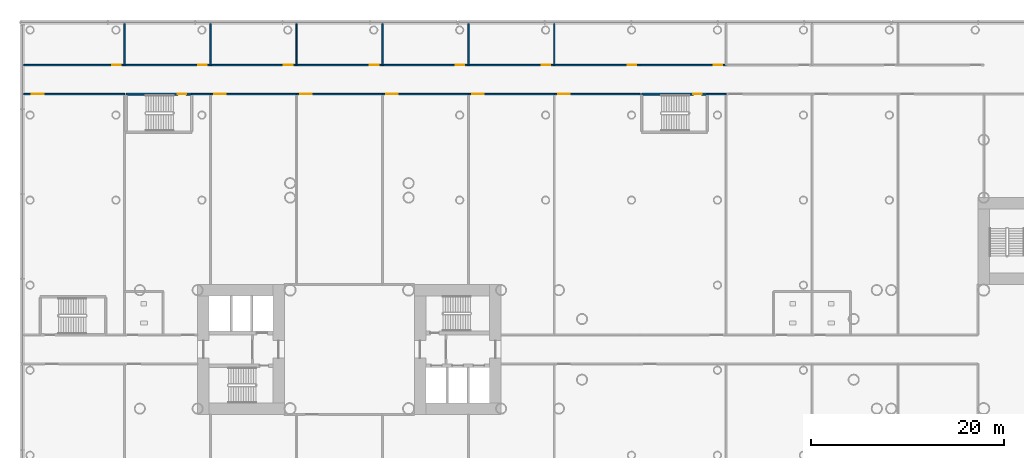
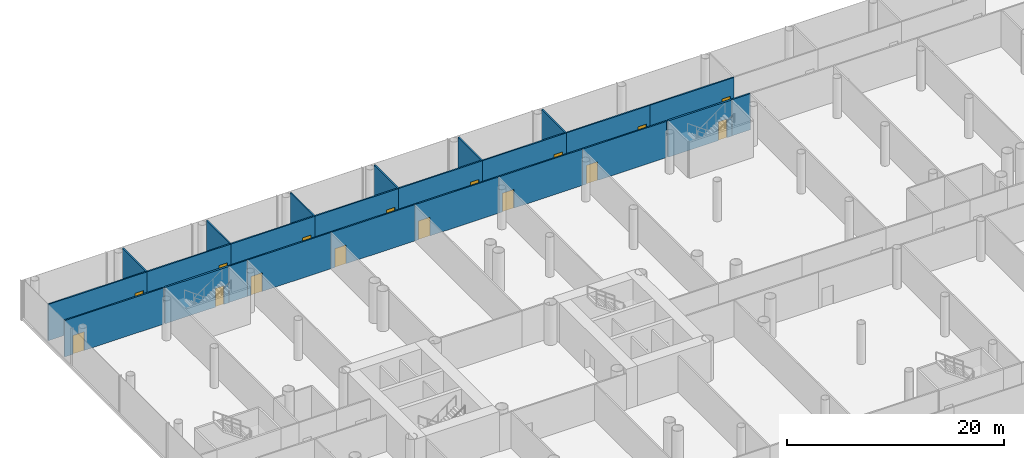
# One storey, part 23 of 49: 24 walls, 16 doors, 16 openings.
"""IFC4 building model written with IfcOpenShell, lengths in metres."""

from ifc_helpers import new_model, si_unit, direction, frame, frame_2d, origin, place, context, subcontext, project, spatial, rectangle, extrude, material, layer, layer_set, type_object, element, fill, save


model = new_model("IFC4")

# Units and contexts
model_context = context("Model", 3, precision=1e-05, world=origin(), true_north=direction((0.0, 1.0)))
body_context = subcontext(model_context, "Body", "Model", "MODEL_VIEW")
ifc_project = project(units=[si_unit("LENGTHUNIT", "METRE"), si_unit("AREAUNIT", "SQUARE_METRE"), si_unit("VOLUMEUNIT", "CUBIC_METRE"), si_unit("PLANEANGLEUNIT", "RADIAN"), si_unit("MASSUNIT", "GRAM", prefix="KILO")], contexts=[model_context])

# Site, building, storey
site_placement = place(None, origin())
site = spatial("IfcSite", under=ifc_project, at=site_placement, CompositionType="ELEMENT")
building_placement = place(site_placement, origin())
building = spatial("IfcBuilding", under=site, at=building_placement, Name="Ipe Terrace Towers", CompositionType="ELEMENT")
storey_placement = place(building_placement, frame((0.0, 0.0, 11.0)))
storey = spatial("IfcBuildingStorey", under=building, at=storey_placement, Name="L02", CompositionType="ELEMENT", Elevation=11.0)

# Wall, opening, door
ifc_material_1 = material(Name="Gypsum board partition", Category="plasterboard")
ifc_layer_1 = layer(ifc_material_1, 0.14990234375)
ifc_layer_set_1 = layer_set([ifc_layer_1], Name="Gypsum board partition 150 mm")
wall_type_1 = type_object("IfcWallType", Name="Gypsum board partition 150 mm", PredefinedType="PARTITIONING", material=ifc_layer_set_1)
wall_1_placement = place(storey_placement, frame((-69.85009765625, 26.5, 0.0), z_axis=(0.0, 0.0, 1.0), x_axis=(1.0, 0.0, 0.0)))
wall_1 = element("IfcWall", 1, at=wall_1_placement, inside=storey, type_object=wall_type_1, Name="Gypsum board partition T1 L02 pd-r2-w7", PredefinedType="PARTITIONING", context=body_context, shape_type="SweptSolid", body=[
    extrude(rectangle(XDim=10.52001953125, YDim=0.14990234375, at=frame_2d((5.260009765625, 0.0))), origin(), (0.0, 0.0, 1.0), 4.080078125),
])
opening_1_placement = place(wall_1_placement, frame((0.89990234375, 0.0, 0.0)))
opening_1 = element("IfcOpeningElement", 2, at=opening_1_placement, cuts=wall_1, Name="Opening PD-L02-r2", PredefinedType="OPENING", context=body_context, shape_type="SweptSolid", body=[
    extrude(rectangle(XDim=1.199951171875, YDim=2.10009765625, at=frame_2d((0.60009765625, 1.050048828125))), frame((0.0, 0.0849609375, 0.0), z_axis=(0.0, -1.0, 0.0), x_axis=(1.0, 0.0, 0.0)), (0.0, 0.0, 1.0), 0.169921875),
])
ifc_material_2 = material(Name="Fire-rated timber door leaf", Category="wood")
door_type_1 = type_object("IfcDoorType", Name="Lounge door 1200 x 2100 FD30S", OperationType="NOTDEFINED", PredefinedType="DOOR", material=ifc_material_2)
door_1_placement = place(opening_1_placement, origin())
door_1 = element("IfcDoor", 3, at=door_1_placement, inside=storey, type_object=door_type_1, Name="Lounge door PD-L02-r2", OperationType="SINGLE_SWING_RIGHT", OverallHeight=2.10009765625, OverallWidth=1.199951171875, PredefinedType="DOOR", context=body_context, shape_type="SweptSolid", body=[
    extrude(rectangle(XDim=1.199951171875, YDim=2.10009765625, at=frame_2d((0.60009765625, 1.050048828125))), frame((0.0, 0.02490234375, 0.0), z_axis=(0.0, -1.0, 0.0), x_axis=(1.0, 0.0, 0.0)), (0.0, 0.0, 1.0), 0.050048828125),
])
fill(opening_1, door_1)

wall_2_placement = place(storey_placement, frame((-59.330078125, 29.5, 0.0), z_axis=(0.0, 0.0, 1.0), x_axis=(-1.0, 0.0, 0.0)))
wall_2 = element("IfcWall", 4, at=wall_2_placement, inside=storey, type_object=wall_type_1, Name="Gypsum board partition T1 L02 pd-r3-w9", PredefinedType="PARTITIONING", context=body_context, shape_type="SweptSolid", body=[
    extrude(rectangle(XDim=10.52001953125, YDim=0.14990234375, at=frame_2d((5.260009765625, 0.0))), origin(), (0.0, 0.0, 1.0), 4.080078125),
])
opening_2_placement = place(wall_2_placement, frame((0.39990234375, 0.0, 0.0)))
opening_2 = element("IfcOpeningElement", 5, at=opening_2_placement, cuts=wall_2, Name="Opening PD-L02-r3", PredefinedType="OPENING", context=body_context, shape_type="SweptSolid", body=[
    extrude(rectangle(XDim=0.89990234375, YDim=2.10009765625, at=frame_2d((0.449951171875, 1.050048828125))), frame((0.0, 0.0849609375, 0.0), z_axis=(0.0, -1.0, 0.0), x_axis=(1.0, 0.0, 0.0)), (0.0, 0.0, 1.0), 0.169921875),
])
ifc_material_3 = material(Name="Fire-rated timber door leaf", Category="wood")
door_type_2 = type_object("IfcDoorType", Name="Lounge door 900 x 2100 FD30S", OperationType="NOTDEFINED", PredefinedType="DOOR", material=ifc_material_3)
door_2_placement = place(opening_2_placement, origin())
door_2 = element("IfcDoor", 6, at=door_2_placement, inside=storey, type_object=door_type_2, Name="Lounge door PD-L02-r3", OperationType="SINGLE_SWING_RIGHT", OverallHeight=2.10009765625, OverallWidth=0.89990234375, PredefinedType="DOOR", context=body_context, shape_type="SweptSolid", body=[
    extrude(rectangle(XDim=0.89990234375, YDim=2.10009765625, at=frame_2d((0.449951171875, 1.050048828125))), frame((0.0, 0.02490234375, 0.0), z_axis=(0.0, -1.0, 0.0), x_axis=(1.0, 0.0, 0.0)), (0.0, 0.0, 1.0), 0.050048828125),
])
fill(opening_2, door_2)

# Wall
wall_3_placement = place(storey_placement, frame((-59.330078125, 33.85009765625, 0.0), z_axis=(0.0, 0.0, 1.0), x_axis=(0.0, -1.0, 0.0)))
element("IfcWall", 7, at=wall_3_placement, inside=storey, type_object=wall_type_1, Name="Gypsum board partition T1 L02 pd-r3-r6-w10", PredefinedType="PARTITIONING", context=body_context, shape_type="SweptSolid", body=[
    extrude(rectangle(XDim=4.35009765625, YDim=0.14990234375, at=frame_2d((2.175048828125, 0.0))), origin(), (0.0, 0.0, 1.0), 4.080078125),
])

# Wall, opening, door
wall_4_placement = place(storey_placement, frame((-50.409912109375, 29.5, 0.0), z_axis=(0.0, 0.0, 1.0), x_axis=(-1.0, 0.0, 0.0)))
wall_4 = element("IfcWall", 8, at=wall_4_placement, inside=storey, type_object=wall_type_1, Name="Gypsum board partition T1 L02 pd-r6-w16", PredefinedType="PARTITIONING", context=body_context, shape_type="SweptSolid", body=[
    extrude(rectangle(XDim=8.920166015625, YDim=0.14990234375, at=frame_2d((4.4599609375, 0.0))), origin(), (0.0, 0.0, 1.0), 4.080078125),
])
opening_3_placement = place(wall_4_placement, frame((0.39990234375, 0.0, 0.0)))
opening_3 = element("IfcOpeningElement", 9, at=opening_3_placement, cuts=wall_4, Name="Opening PD-L02-r6", PredefinedType="OPENING", context=body_context, shape_type="SweptSolid", body=[
    extrude(rectangle(XDim=0.89990234375, YDim=2.10009765625, at=frame_2d((0.449951171875, 1.050048828125))), frame((0.0, 0.0849609375, 0.0), z_axis=(0.0, -1.0, 0.0), x_axis=(1.0, 0.0, 0.0)), (0.0, 0.0, 1.0), 0.169921875),
])
door_3_placement = place(opening_3_placement, origin())
door_3 = element("IfcDoor", 10, at=door_3_placement, inside=storey, type_object=door_type_2, Name="Lounge door PD-L02-r6", OperationType="SINGLE_SWING_RIGHT", OverallHeight=2.10009765625, OverallWidth=0.89990234375, PredefinedType="DOOR", context=body_context, shape_type="SweptSolid", body=[
    extrude(rectangle(XDim=0.89990234375, YDim=2.10009765625, at=frame_2d((0.449951171875, 1.050048828125))), frame((0.0, 0.02490234375, 0.0), z_axis=(0.0, -1.0, 0.0), x_axis=(1.0, 0.0, 0.0)), (0.0, 0.0, 1.0), 0.050048828125),
])
fill(opening_3, door_3)

# Wall
wall_5_placement = place(storey_placement, frame((-52.3701171875, 26.5, 0.0), z_axis=(0.0, 0.0, 1.0), x_axis=(1.0, 0.0, 0.0)))
element("IfcWall", 11, at=wall_5_placement, inside=storey, type_object=wall_type_1, Name="Gypsum board partition T1 L02 pd-r7-w18", PredefinedType="PARTITIONING", context=body_context, shape_type="SweptSolid", body=[
    extrude(rectangle(XDim=1.960205078125, YDim=0.14990234375, at=frame_2d((0.97998046875, 0.0))), origin(), (0.0, 0.0, 1.0), 4.080078125),
])

# Wall, opening, door
wall_6_placement = place(storey_placement, frame((-41.489990234375, 29.5, 0.0), z_axis=(0.0, 0.0, 1.0), x_axis=(-1.0, 0.0, 0.0)))
wall_6 = element("IfcWall", 12, at=wall_6_placement, inside=storey, type_object=wall_type_1, Name="Gypsum board partition T1 L02 pd-r10-w22", PredefinedType="PARTITIONING", context=body_context, shape_type="SweptSolid", body=[
    extrude(rectangle(XDim=8.919921875, YDim=0.14990234375, at=frame_2d((4.4599609375, 0.0))), origin(), (0.0, 0.0, 1.0), 4.080078125),
])
opening_4_placement = place(wall_6_placement, frame((0.39990234375, 0.0, 0.0)))
opening_4 = element("IfcOpeningElement", 13, at=opening_4_placement, cuts=wall_6, Name="Opening PD-L02-r10", PredefinedType="OPENING", context=body_context, shape_type="SweptSolid", body=[
    extrude(rectangle(XDim=0.89990234375, YDim=2.10009765625, at=frame_2d((0.449951171875, 1.050048828125))), frame((0.0, 0.0849609375, 0.0), z_axis=(0.0, -1.0, 0.0), x_axis=(1.0, 0.0, 0.0)), (0.0, 0.0, 1.0), 0.169921875),
])
door_4_placement = place(opening_4_placement, origin())
door_4 = element("IfcDoor", 14, at=door_4_placement, inside=storey, type_object=door_type_2, Name="Lounge door PD-L02-r10", OperationType="SINGLE_SWING_RIGHT", OverallHeight=2.10009765625, OverallWidth=0.89990234375, PredefinedType="DOOR", context=body_context, shape_type="SweptSolid", body=[
    extrude(rectangle(XDim=0.89990234375, YDim=2.10009765625, at=frame_2d((0.449951171875, 1.050048828125))), frame((0.0, 0.02490234375, 0.0), z_axis=(0.0, -1.0, 0.0), x_axis=(1.0, 0.0, 0.0)), (0.0, 0.0, 1.0), 0.050048828125),
])
fill(opening_4, door_4)

# Walls
for number, where, z_axis, x_axis, name in (
    (15, (-50.409912109375, 29.5, 0.0), (0.0, 0.0, 1.0), (0.0, 1.0, 0.0), "Gypsum board partition T1 L02 pd-r10-r6-w23"),
    (16, (-41.489990234375, 33.85009765625, 0.0), (0.0, 0.0, 1.0), (0.0, -1.0, 0.0), "Gypsum board partition T1 L02 pd-r10-r15-w24"),
):
    element("IfcWall", number, at=place(storey_placement, frame(where, z_axis=z_axis, x_axis=x_axis)), inside=storey, type_object=wall_type_1, Name=name, PredefinedType="PARTITIONING", context=body_context, shape_type="SweptSolid", body=[
        extrude(rectangle(XDim=4.35009765625, YDim=0.14990234375, at=frame_2d((2.175048828125, 0.0))), origin(), (0.0, 0.0, 1.0), 4.080078125),
    ])

# Wall, opening, door
wall_7_placement = place(storey_placement, frame((-50.409912109375, 26.5, 0.0), z_axis=(0.0, 0.0, 1.0), x_axis=(1.0, 0.0, 0.0)))
wall_7 = element("IfcWall", 17, at=wall_7_placement, inside=storey, type_object=wall_type_1, Name="Gypsum board partition T1 L02 pd-r11-w25", PredefinedType="PARTITIONING", context=body_context, shape_type="SweptSolid", body=[
    extrude(rectangle(XDim=8.919921875, YDim=0.14990234375, at=frame_2d((4.4599609375, 0.0))), origin(), (0.0, 0.0, 1.0), 4.080078125),
])
opening_5_placement = place(wall_7_placement, frame((0.39990234375, 0.0, 0.0)))
opening_5 = element("IfcOpeningElement", 18, at=opening_5_placement, cuts=wall_7, Name="Opening PD-L02-r11", PredefinedType="OPENING", context=body_context, shape_type="SweptSolid", body=[
    extrude(rectangle(XDim=1.199951171875, YDim=2.10009765625, at=frame_2d((0.60009765625, 1.050048828125))), frame((0.0, 0.0849609375, 0.0), z_axis=(0.0, -1.0, 0.0), x_axis=(1.0, 0.0, 0.0)), (0.0, 0.0, 1.0), 0.169921875),
])
door_5_placement = place(opening_5_placement, origin())
door_5 = element("IfcDoor", 19, at=door_5_placement, inside=storey, type_object=door_type_1, Name="Lounge door PD-L02-r11", OperationType="SINGLE_SWING_RIGHT", OverallHeight=2.10009765625, OverallWidth=1.199951171875, PredefinedType="DOOR", context=body_context, shape_type="SweptSolid", body=[
    extrude(rectangle(XDim=1.199951171875, YDim=2.10009765625, at=frame_2d((0.60009765625, 1.050048828125))), frame((0.0, 0.02490234375, 0.0), z_axis=(0.0, -1.0, 0.0), x_axis=(1.0, 0.0, 0.0)), (0.0, 0.0, 1.0), 0.050048828125),
])
fill(opening_5, door_5)

wall_8_placement = place(storey_placement, frame((-41.489990234375, 26.5, 0.0), z_axis=(0.0, 0.0, 1.0), x_axis=(1.0, 0.0, 0.0)))
wall_8 = element("IfcWall", 20, at=wall_8_placement, inside=storey, type_object=wall_type_1, Name="Gypsum board partition T1 L02 pd-r14-w36", PredefinedType="PARTITIONING", context=body_context, shape_type="SweptSolid", body=[
    extrude(rectangle(XDim=8.919921875, YDim=0.14990234375, at=frame_2d((4.4599609375, 0.0))), origin(), (0.0, 0.0, 1.0), 4.080078125),
])
opening_6_placement = place(wall_8_placement, frame((0.39990234375, 0.0, 0.0)))
opening_6 = element("IfcOpeningElement", 21, at=opening_6_placement, cuts=wall_8, Name="Opening PD-L02-r14", PredefinedType="OPENING", context=body_context, shape_type="SweptSolid", body=[
    extrude(rectangle(XDim=1.199951171875, YDim=2.10009765625, at=frame_2d((0.60009765625, 1.050048828125))), frame((0.0, 0.0849609375, 0.0), z_axis=(0.0, -1.0, 0.0), x_axis=(1.0, 0.0, 0.0)), (0.0, 0.0, 1.0), 0.169921875),
])
door_6_placement = place(opening_6_placement, origin())
door_6 = element("IfcDoor", 22, at=door_6_placement, inside=storey, type_object=door_type_1, Name="Lounge door PD-L02-r14", OperationType="SINGLE_SWING_RIGHT", OverallHeight=2.10009765625, OverallWidth=1.199951171875, PredefinedType="DOOR", context=body_context, shape_type="SweptSolid", body=[
    extrude(rectangle(XDim=1.199951171875, YDim=2.10009765625, at=frame_2d((0.60009765625, 1.050048828125))), frame((0.0, 0.02490234375, 0.0), z_axis=(0.0, -1.0, 0.0), x_axis=(1.0, 0.0, 0.0)), (0.0, 0.0, 1.0), 0.050048828125),
])
fill(opening_6, door_6)

wall_9_placement = place(storey_placement, frame((-32.570068359375, 29.5, 0.0), z_axis=(0.0, 0.0, 1.0), x_axis=(-1.0, 0.0, 0.0)))
wall_9 = element("IfcWall", 23, at=wall_9_placement, inside=storey, type_object=wall_type_1, Name="Gypsum board partition T1 L02 pd-r15-w39", PredefinedType="PARTITIONING", context=body_context, shape_type="SweptSolid", body=[
    extrude(rectangle(XDim=8.919921875, YDim=0.14990234375, at=frame_2d((4.4599609375, 0.0))), origin(), (0.0, 0.0, 1.0), 4.080078125),
])
opening_7_placement = place(wall_9_placement, frame((0.39990234375, 0.0, 0.0)))
opening_7 = element("IfcOpeningElement", 24, at=opening_7_placement, cuts=wall_9, Name="Opening PD-L02-r15", PredefinedType="OPENING", context=body_context, shape_type="SweptSolid", body=[
    extrude(rectangle(XDim=0.89990234375, YDim=2.10009765625, at=frame_2d((0.449951171875, 1.050048828125))), frame((0.0, 0.0849609375, 0.0), z_axis=(0.0, -1.0, 0.0), x_axis=(1.0, 0.0, 0.0)), (0.0, 0.0, 1.0), 0.169921875),
])
door_7_placement = place(opening_7_placement, origin())
door_7 = element("IfcDoor", 25, at=door_7_placement, inside=storey, type_object=door_type_2, Name="Lounge door PD-L02-r15", OperationType="SINGLE_SWING_RIGHT", OverallHeight=2.10009765625, OverallWidth=0.89990234375, PredefinedType="DOOR", context=body_context, shape_type="SweptSolid", body=[
    extrude(rectangle(XDim=0.89990234375, YDim=2.10009765625, at=frame_2d((0.449951171875, 1.050048828125))), frame((0.0, 0.02490234375, 0.0), z_axis=(0.0, -1.0, 0.0), x_axis=(1.0, 0.0, 0.0)), (0.0, 0.0, 1.0), 0.050048828125),
])
fill(opening_7, door_7)

# Wall
wall_10_placement = place(storey_placement, frame((-32.570068359375, 33.85009765625, 0.0), z_axis=(0.0, 0.0, 1.0), x_axis=(0.0, -1.0, 0.0)))
element("IfcWall", 26, at=wall_10_placement, inside=storey, type_object=wall_type_1, Name="Gypsum board partition T1 L02 pd-r15-r19-w40", PredefinedType="PARTITIONING", context=body_context, shape_type="SweptSolid", body=[
    extrude(rectangle(XDim=4.35009765625, YDim=0.14990234375, at=frame_2d((2.175048828125, 0.0))), origin(), (0.0, 0.0, 1.0), 4.080078125),
])

# Wall, opening, door
wall_11_placement = place(storey_placement, frame((-32.570068359375, 26.5, 0.0), z_axis=(0.0, 0.0, 1.0), x_axis=(1.0, 0.0, 0.0)))
wall_11 = element("IfcWall", 27, at=wall_11_placement, inside=storey, type_object=wall_type_1, Name="Gypsum board partition T1 L02 pd-r18-w47", PredefinedType="PARTITIONING", context=body_context, shape_type="SweptSolid", body=[
    extrude(rectangle(XDim=8.920166015625, YDim=0.14990234375, at=frame_2d((4.4599609375, 0.0))), origin(), (0.0, 0.0, 1.0), 4.080078125),
])
opening_8_placement = place(wall_11_placement, frame((0.39990234375, 0.0, 0.0)))
opening_8 = element("IfcOpeningElement", 28, at=opening_8_placement, cuts=wall_11, Name="Opening PD-L02-r18", PredefinedType="OPENING", context=body_context, shape_type="SweptSolid", body=[
    extrude(rectangle(XDim=1.199951171875, YDim=2.10009765625, at=frame_2d((0.60009765625, 1.050048828125))), frame((0.0, 0.0849609375, 0.0), z_axis=(0.0, -1.0, 0.0), x_axis=(1.0, 0.0, 0.0)), (0.0, 0.0, 1.0), 0.169921875),
])
door_8_placement = place(opening_8_placement, origin())
door_8 = element("IfcDoor", 29, at=door_8_placement, inside=storey, type_object=door_type_1, Name="Lounge door PD-L02-r18", OperationType="SINGLE_SWING_RIGHT", OverallHeight=2.10009765625, OverallWidth=1.199951171875, PredefinedType="DOOR", context=body_context, shape_type="SweptSolid", body=[
    extrude(rectangle(XDim=1.199951171875, YDim=2.10009765625, at=frame_2d((0.60009765625, 1.050048828125))), frame((0.0, 0.02490234375, 0.0), z_axis=(0.0, -1.0, 0.0), x_axis=(1.0, 0.0, 0.0)), (0.0, 0.0, 1.0), 0.050048828125),
])
fill(opening_8, door_8)

wall_12_placement = place(storey_placement, frame((-23.64990234375, 29.5, 0.0), z_axis=(0.0, 0.0, 1.0), x_axis=(-1.0, 0.0, 0.0)))
wall_12 = element("IfcWall", 30, at=wall_12_placement, inside=storey, type_object=wall_type_1, Name="Gypsum board partition T1 L02 pd-r19-w49", PredefinedType="PARTITIONING", context=body_context, shape_type="SweptSolid", body=[
    extrude(rectangle(XDim=8.920166015625, YDim=0.14990234375, at=frame_2d((4.4599609375, 0.0))), origin(), (0.0, 0.0, 1.0), 4.080078125),
])
opening_9_placement = place(wall_12_placement, frame((0.39990234375, 0.0, 0.0)))
opening_9 = element("IfcOpeningElement", 31, at=opening_9_placement, cuts=wall_12, Name="Opening PD-L02-r19", PredefinedType="OPENING", context=body_context, shape_type="SweptSolid", body=[
    extrude(rectangle(XDim=0.89990234375, YDim=2.10009765625, at=frame_2d((0.449951171875, 1.050048828125))), frame((0.0, 0.0849609375, 0.0), z_axis=(0.0, -1.0, 0.0), x_axis=(1.0, 0.0, 0.0)), (0.0, 0.0, 1.0), 0.169921875),
])
door_9_placement = place(opening_9_placement, origin())
door_9 = element("IfcDoor", 32, at=door_9_placement, inside=storey, type_object=door_type_2, Name="Lounge door PD-L02-r19", OperationType="SINGLE_SWING_RIGHT", OverallHeight=2.10009765625, OverallWidth=0.89990234375, PredefinedType="DOOR", context=body_context, shape_type="SweptSolid", body=[
    extrude(rectangle(XDim=0.89990234375, YDim=2.10009765625, at=frame_2d((0.449951171875, 1.050048828125))), frame((0.0, 0.02490234375, 0.0), z_axis=(0.0, -1.0, 0.0), x_axis=(1.0, 0.0, 0.0)), (0.0, 0.0, 1.0), 0.050048828125),
])
fill(opening_9, door_9)

# Wall
wall_13_placement = place(storey_placement, frame((-23.64990234375, 33.85009765625, 0.0), z_axis=(0.0, 0.0, 1.0), x_axis=(0.0, -1.0, 0.0)))
element("IfcWall", 33, at=wall_13_placement, inside=storey, type_object=wall_type_1, Name="Gypsum board partition T1 L02 pd-r19-r21-w50", PredefinedType="PARTITIONING", context=body_context, shape_type="SweptSolid", body=[
    extrude(rectangle(XDim=4.35009765625, YDim=0.14990234375, at=frame_2d((2.175048828125, 0.0))), origin(), (0.0, 0.0, 1.0), 4.080078125),
])

# Wall, opening, door
wall_14_placement = place(storey_placement, frame((-14.72998046875, 29.5, 0.0), z_axis=(0.0, 0.0, 1.0), x_axis=(-1.0, 0.0, 0.0)))
wall_14 = element("IfcWall", 34, at=wall_14_placement, inside=storey, type_object=wall_type_1, Name="Gypsum board partition T1 L02 pd-r21-w53", PredefinedType="PARTITIONING", context=body_context, shape_type="SweptSolid", body=[
    extrude(rectangle(XDim=8.919921875, YDim=0.14990234375, at=frame_2d((4.4599609375, 0.0))), origin(), (0.0, 0.0, 1.0), 4.080078125),
])
opening_10_placement = place(wall_14_placement, frame((0.39990234375, 0.0, 0.0)))
opening_10 = element("IfcOpeningElement", 35, at=opening_10_placement, cuts=wall_14, Name="Opening PD-L02-r21", PredefinedType="OPENING", context=body_context, shape_type="SweptSolid", body=[
    extrude(rectangle(XDim=0.89990234375, YDim=2.10009765625, at=frame_2d((0.449951171875, 1.050048828125))), frame((0.0, 0.0849609375, 0.0), z_axis=(0.0, -1.0, 0.0), x_axis=(1.0, 0.0, 0.0)), (0.0, 0.0, 1.0), 0.169921875),
])
door_10_placement = place(opening_10_placement, origin())
door_10 = element("IfcDoor", 36, at=door_10_placement, inside=storey, type_object=door_type_2, Name="Lounge door PD-L02-r21", OperationType="SINGLE_SWING_RIGHT", OverallHeight=2.10009765625, OverallWidth=0.89990234375, PredefinedType="DOOR", context=body_context, shape_type="SweptSolid", body=[
    extrude(rectangle(XDim=0.89990234375, YDim=2.10009765625, at=frame_2d((0.449951171875, 1.050048828125))), frame((0.0, 0.02490234375, 0.0), z_axis=(0.0, -1.0, 0.0), x_axis=(1.0, 0.0, 0.0)), (0.0, 0.0, 1.0), 0.050048828125),
])
fill(opening_10, door_10)

# Wall
wall_15_placement = place(storey_placement, frame((-14.72998046875, 33.85009765625, 0.0), z_axis=(0.0, 0.0, 1.0), x_axis=(0.0, -1.0, 0.0)))
element("IfcWall", 37, at=wall_15_placement, inside=storey, type_object=wall_type_1, Name="Gypsum board partition T1 L02 pd-r21-r27-w54", PredefinedType="PARTITIONING", context=body_context, shape_type="SweptSolid", body=[
    extrude(rectangle(XDim=4.35009765625, YDim=0.14990234375, at=frame_2d((2.175048828125, 0.0))), origin(), (0.0, 0.0, 1.0), 4.080078125),
])

# Wall, opening, door
wall_16_placement = place(storey_placement, frame((-23.64990234375, 26.5, 0.0), z_axis=(0.0, 0.0, 1.0), x_axis=(1.0, 0.0, 0.0)))
wall_16 = element("IfcWall", 38, at=wall_16_placement, inside=storey, type_object=wall_type_1, Name="Gypsum board partition T1 L02 pd-r23-w58", PredefinedType="PARTITIONING", context=body_context, shape_type="SweptSolid", body=[
    extrude(rectangle(XDim=8.919921875, YDim=0.14990234375, at=frame_2d((4.4599609375, 0.0))), origin(), (0.0, 0.0, 1.0), 4.080078125),
])
opening_11_placement = place(wall_16_placement, frame((0.39990234375, 0.0, 0.0)))
opening_11 = element("IfcOpeningElement", 39, at=opening_11_placement, cuts=wall_16, Name="Opening PD-L02-r23", PredefinedType="OPENING", context=body_context, shape_type="SweptSolid", body=[
    extrude(rectangle(XDim=1.199951171875, YDim=2.10009765625, at=frame_2d((0.60009765625, 1.050048828125))), frame((0.0, 0.0849609375, 0.0), z_axis=(0.0, -1.0, 0.0), x_axis=(1.0, 0.0, 0.0)), (0.0, 0.0, 1.0), 0.169921875),
])
door_11_placement = place(opening_11_placement, origin())
door_11 = element("IfcDoor", 40, at=door_11_placement, inside=storey, type_object=door_type_1, Name="Lounge door PD-L02-r23", OperationType="SINGLE_SWING_RIGHT", OverallHeight=2.10009765625, OverallWidth=1.199951171875, PredefinedType="DOOR", context=body_context, shape_type="SweptSolid", body=[
    extrude(rectangle(XDim=1.199951171875, YDim=2.10009765625, at=frame_2d((0.60009765625, 1.050048828125))), frame((0.0, 0.02490234375, 0.0), z_axis=(0.0, -1.0, 0.0), x_axis=(1.0, 0.0, 0.0)), (0.0, 0.0, 1.0), 0.050048828125),
])
fill(opening_11, door_11)

wall_17_placement = place(storey_placement, frame((-14.72998046875, 26.5, 0.0), z_axis=(0.0, 0.0, 1.0), x_axis=(1.0, 0.0, 0.0)))
wall_17 = element("IfcWall", 41, at=wall_17_placement, inside=storey, type_object=wall_type_1, Name="Gypsum board partition T1 L02 pd-r26-w64", PredefinedType="PARTITIONING", context=body_context, shape_type="SweptSolid", body=[
    extrude(rectangle(XDim=8.919921875, YDim=0.14990234375, at=frame_2d((4.4599609375, 0.0))), origin(), (0.0, 0.0, 1.0), 4.080078125),
])
opening_12_placement = place(wall_17_placement, frame((0.39990234375, 0.0, 0.0)))
opening_12 = element("IfcOpeningElement", 42, at=opening_12_placement, cuts=wall_17, Name="Opening PD-L02-r26", PredefinedType="OPENING", context=body_context, shape_type="SweptSolid", body=[
    extrude(rectangle(XDim=1.199951171875, YDim=2.10009765625, at=frame_2d((0.60009765625, 1.050048828125))), frame((0.0, 0.0849609375, 0.0), z_axis=(0.0, -1.0, 0.0), x_axis=(1.0, 0.0, 0.0)), (0.0, 0.0, 1.0), 0.169921875),
])
door_12_placement = place(opening_12_placement, origin())
door_12 = element("IfcDoor", 43, at=door_12_placement, inside=storey, type_object=door_type_1, Name="Lounge door PD-L02-r26", OperationType="SINGLE_SWING_RIGHT", OverallHeight=2.10009765625, OverallWidth=1.199951171875, PredefinedType="DOOR", context=body_context, shape_type="SweptSolid", body=[
    extrude(rectangle(XDim=1.199951171875, YDim=2.10009765625, at=frame_2d((0.60009765625, 1.050048828125))), frame((0.0, 0.02490234375, 0.0), z_axis=(0.0, -1.0, 0.0), x_axis=(1.0, 0.0, 0.0)), (0.0, 0.0, 1.0), 0.050048828125),
])
fill(opening_12, door_12)

wall_18_placement = place(storey_placement, frame((-5.81005859375, 29.5, 0.0), z_axis=(0.0, 0.0, 1.0), x_axis=(-1.0, 0.0, 0.0)))
wall_18 = element("IfcWall", 44, at=wall_18_placement, inside=storey, type_object=wall_type_1, Name="Gypsum board partition T1 L02 pd-r27-w66", PredefinedType="PARTITIONING", context=body_context, shape_type="SweptSolid", body=[
    extrude(rectangle(XDim=8.919921875, YDim=0.14990234375, at=frame_2d((4.4599609375, 0.0))), origin(), (0.0, 0.0, 1.0), 4.080078125),
])
opening_13_placement = place(wall_18_placement, frame((0.39990234375, 0.0, 0.0)))
opening_13 = element("IfcOpeningElement", 45, at=opening_13_placement, cuts=wall_18, Name="Opening PD-L02-r27", PredefinedType="OPENING", context=body_context, shape_type="SweptSolid", body=[
    extrude(rectangle(XDim=0.89990234375, YDim=2.10009765625, at=frame_2d((0.449951171875, 1.050048828125))), frame((0.0, 0.0849609375, 0.0), z_axis=(0.0, -1.0, 0.0), x_axis=(1.0, 0.0, 0.0)), (0.0, 0.0, 1.0), 0.169921875),
])
door_13_placement = place(opening_13_placement, origin())
door_13 = element("IfcDoor", 46, at=door_13_placement, inside=storey, type_object=door_type_2, Name="Lounge door PD-L02-r27", OperationType="SINGLE_SWING_RIGHT", OverallHeight=2.10009765625, OverallWidth=0.89990234375, PredefinedType="DOOR", context=body_context, shape_type="SweptSolid", body=[
    extrude(rectangle(XDim=0.89990234375, YDim=2.10009765625, at=frame_2d((0.449951171875, 1.050048828125))), frame((0.0, 0.02490234375, 0.0), z_axis=(0.0, -1.0, 0.0), x_axis=(1.0, 0.0, 0.0)), (0.0, 0.0, 1.0), 0.050048828125),
])
fill(opening_13, door_13)

wall_19_placement = place(storey_placement, frame((3.110107421875, 29.5, 0.0), z_axis=(0.0, 0.0, 1.0), x_axis=(-1.0, 0.0, 0.0)))
wall_19 = element("IfcWall", 47, at=wall_19_placement, inside=storey, type_object=wall_type_1, Name="Gypsum board partition T2 L02 pd-r29-w2", PredefinedType="PARTITIONING", context=body_context, shape_type="SweptSolid", body=[
    extrude(rectangle(XDim=8.920166015625, YDim=0.14990234375, at=frame_2d((4.4599609375, 0.0))), origin(), (0.0, 0.0, 1.0), 4.080078125),
])
opening_14_placement = place(wall_19_placement, frame((0.39990234375, 0.0, 0.0)))
opening_14 = element("IfcOpeningElement", 48, at=opening_14_placement, cuts=wall_19, Name="Opening PD-L02-r29", PredefinedType="OPENING", context=body_context, shape_type="SweptSolid", body=[
    extrude(rectangle(XDim=0.89990234375, YDim=2.10009765625, at=frame_2d((0.449951171875, 1.050048828125))), frame((0.0, 0.0849609375, 0.0), z_axis=(0.0, -1.0, 0.0), x_axis=(1.0, 0.0, 0.0)), (0.0, 0.0, 1.0), 0.169921875),
])
door_14_placement = place(opening_14_placement, origin())
door_14 = element("IfcDoor", 49, at=door_14_placement, inside=storey, type_object=door_type_2, Name="Lounge door PD-L02-r29", OperationType="SINGLE_SWING_RIGHT", OverallHeight=2.10009765625, OverallWidth=0.89990234375, PredefinedType="DOOR", context=body_context, shape_type="SweptSolid", body=[
    extrude(rectangle(XDim=0.89990234375, YDim=2.10009765625, at=frame_2d((0.449951171875, 1.050048828125))), frame((0.0, 0.02490234375, 0.0), z_axis=(0.0, -1.0, 0.0), x_axis=(1.0, 0.0, 0.0)), (0.0, 0.0, 1.0), 0.050048828125),
])
fill(opening_14, door_14)

# Wall
wall_20_placement = place(storey_placement, frame((1.14990234375, 26.5, 0.0), z_axis=(0.0, 0.0, 1.0), x_axis=(1.0, 0.0, 0.0)))
element("IfcWall", 50, at=wall_20_placement, inside=storey, type_object=wall_type_1, Name="Gypsum board partition T2 L02 pd-r31-w7", PredefinedType="PARTITIONING", context=body_context, shape_type="SweptSolid", body=[
    extrude(rectangle(XDim=1.960205078125, YDim=0.14990234375, at=frame_2d((0.97998046875, 0.0))), origin(), (0.0, 0.0, 1.0), 4.080078125),
])

# Wall, opening, door
ifc_material_4 = material(Name="Concrete C40/50", Category="concrete")
ifc_layer_2 = layer(ifc_material_4, 0.199951171875)
ifc_layer_set_2 = layer_set([ifc_layer_2], Name="RW200 PODIUM STAIR SHAFT WALL 200 C40-50")
wall_type_2 = type_object("IfcWallType", Name="RW200 PODIUM STAIR SHAFT WALL 200 C40-50", PredefinedType="SHEAR", material=ifc_layer_set_2)
wall_21_placement = place(storey_placement, frame((-59.169921875, 26.5, 0.0), z_axis=(0.0, 0.0, 1.0), x_axis=(1.0, 0.0, 0.0)))
wall_21 = element("IfcWall", 51, at=wall_21_placement, inside=storey, type_object=wall_type_2, Name="Stair shaft wall T1 L02 ps1-c", PredefinedType="SHEAR", context=body_context, shape_type="SweptSolid", body=[
    extrude(rectangle(XDim=6.7998046875, YDim=0.199951171875, at=frame_2d((3.39990234375, 0.0))), origin(), (0.0, 0.0, 1.0), 4.080078125),
])
opening_15_placement = place(wall_21_placement, frame((5.35009765625, 0.0, 0.0)))
opening_15 = element("IfcOpeningElement", 52, at=opening_15_placement, cuts=wall_21, Name="Opening PS1-SD", PredefinedType="OPENING", context=body_context, shape_type="SweptSolid", body=[
    extrude(rectangle(XDim=0.89990234375, YDim=2.10009765625, at=frame_2d((0.449951171875, 1.050048828125))), frame((0.0, 0.10986328125, 0.0), z_axis=(0.0, -1.0, 0.0), x_axis=(1.0, 0.0, 0.0)), (0.0, 0.0, 1.0), 0.219970703125),
])
ifc_material_5 = material(Name="Fire-rated timber door leaf", Category="wood")
door_type_3 = type_object("IfcDoorType", Name="Stair door 900 x 2100 FD60", OperationType="NOTDEFINED", PredefinedType="DOOR", material=ifc_material_5)
door_15_placement = place(opening_15_placement, origin())
door_15 = element("IfcDoor", 53, at=door_15_placement, inside=storey, type_object=door_type_3, Name="Stair door PS1-SD", OperationType="SINGLE_SWING_LEFT", OverallHeight=2.10009765625, OverallWidth=0.89990234375, PredefinedType="DOOR", context=body_context, shape_type="SweptSolid", body=[
    extrude(rectangle(XDim=0.89990234375, YDim=2.10009765625, at=frame_2d((0.449951171875, 1.050048828125))), frame((0.0, 0.02490234375, 0.0), z_axis=(0.0, -1.0, 0.0), x_axis=(1.0, 0.0, 0.0)), (0.0, 0.0, 1.0), 0.050048828125),
])
fill(opening_15, door_15)

wall_22_placement = place(storey_placement, frame((-5.64990234375, 26.5, 0.0), z_axis=(0.0, 0.0, 1.0), x_axis=(1.0, 0.0, 0.0)))
wall_22 = element("IfcWall", 54, at=wall_22_placement, inside=storey, type_object=wall_type_2, Name="Stair shaft wall T1 L02 ps2-c", PredefinedType="SHEAR", context=body_context, shape_type="SweptSolid", body=[
    extrude(rectangle(XDim=6.7998046875, YDim=0.199951171875, at=frame_2d((3.39990234375, 0.0))), origin(), (0.0, 0.0, 1.0), 4.080078125),
])
opening_16_placement = place(wall_22_placement, frame((5.35009765625, 0.0, 0.0)))
opening_16 = element("IfcOpeningElement", 55, at=opening_16_placement, cuts=wall_22, Name="Opening PS2-SD", PredefinedType="OPENING", context=body_context, shape_type="SweptSolid", body=[
    extrude(rectangle(XDim=0.89990234375, YDim=2.10009765625, at=frame_2d((0.449951171875, 1.050048828125))), frame((0.0, 0.10986328125, 0.0), z_axis=(0.0, -1.0, 0.0), x_axis=(1.0, 0.0, 0.0)), (0.0, 0.0, 1.0), 0.219970703125),
])
door_16_placement = place(opening_16_placement, origin())
door_16 = element("IfcDoor", 56, at=door_16_placement, inside=storey, type_object=door_type_3, Name="Stair door PS2-SD", OperationType="SINGLE_SWING_LEFT", OverallHeight=2.10009765625, OverallWidth=0.89990234375, PredefinedType="DOOR", context=body_context, shape_type="SweptSolid", body=[
    extrude(rectangle(XDim=0.89990234375, YDim=2.10009765625, at=frame_2d((0.449951171875, 1.050048828125))), frame((0.0, 0.02490234375, 0.0), z_axis=(0.0, -1.0, 0.0), x_axis=(1.0, 0.0, 0.0)), (0.0, 0.0, 1.0), 0.050048828125),
])
fill(opening_16, door_16)

save(model, "model.ifc")
